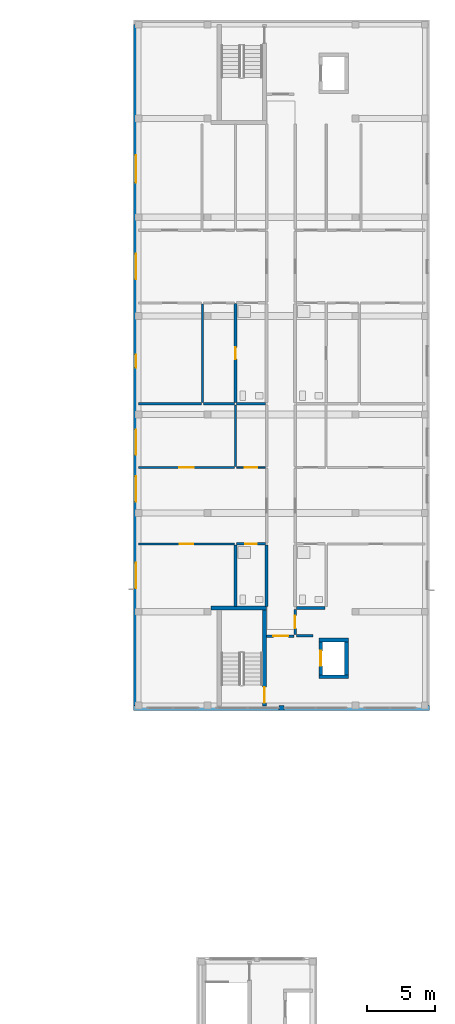
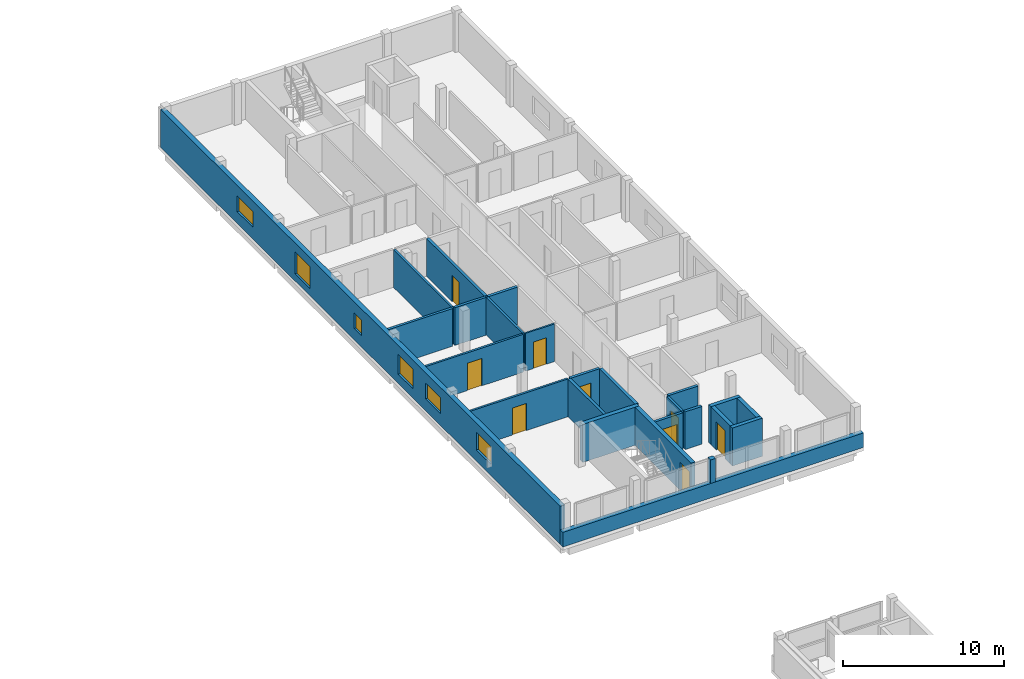
# One storey, part 16 of 28: 25 walls, 9 doors, 6 windows, 15 openings.
"""IFC4 building model written with IfcOpenShell, lengths in metres."""

from ifc_helpers import new_model, si_unit, derived_unit, direction, frame, frame_2d, origin, place, context, subcontext, project, spatial, rectangle, extrude, material, layer, layer_set, type_object, element, fill, save


model = new_model("IFC4")

# Units and contexts
model_context = context("Model", 3, precision=1e-05, world=origin(), true_north=direction((0.0, 1.0)))
body_context = subcontext(model_context, "Body", "Model", "MODEL_VIEW")
ifc_project = project(units=[si_unit("LENGTHUNIT", "METRE"), si_unit("AREAUNIT", "SQUARE_METRE"), si_unit("VOLUMEUNIT", "CUBIC_METRE"), si_unit("PLANEANGLEUNIT", "RADIAN"), si_unit("MASSUNIT", "GRAM", prefix="KILO"), derived_unit("THERMALTRANSMITTANCEUNIT", [(si_unit("MASSUNIT", "GRAM", prefix="KILO"), 1), (si_unit("TIMEUNIT", "SECOND"), -3), (si_unit("THERMODYNAMICTEMPERATUREUNIT", "KELVIN"), -1)])], contexts=[model_context])

# Site, building, storey
site_placement = place(None, origin())
site = spatial("IfcSite", under=ifc_project, at=site_placement, CompositionType="ELEMENT")
building_placement = place(site_placement, origin())
building = spatial("IfcBuilding", under=site, at=building_placement, Name="Ochrekiln Boulevard Commons", CompositionType="ELEMENT")
storey_placement = place(building_placement, frame((0.0, 0.0, 34.125)))
storey = spatial("IfcBuildingStorey", under=building, at=storey_placement, Name="L10", CompositionType="ELEMENT", Elevation=34.125)

# Wall, openings, windows
ifc_material_1 = material(Name="Iron-spot brown clinker brick masonry ASTM C216 Grade SW", Category="masonry")
ifc_layer_1 = layer(ifc_material_1, 0.340087890625)
ifc_layer_set_1 = layer_set([ifc_layer_1], Name="Iron-spot brown clinker brick masonry ASTM C216 Grade SW")
wall_type_1 = type_object("IfcWallType", Name="WL-EXT-IRON-340", PredefinedType="SOLIDWALL", material=ifc_layer_set_1)
wall_1_placement = place(storey_placement, frame((151.3701171875, 68.739990234375, 0.0), z_axis=(0.0, 0.0, 1.0), x_axis=(0.0, 1.0, 0.0)))
wall_1 = element("IfcWall", 1, at=wall_1_placement, inside=storey, type_object=wall_type_1, Name="Block B L10 W Exterior Wall", PredefinedType="SOLIDWALL", context=body_context, shape_type="SweptSolid", body=[
    extrude(rectangle(XDim=49.719970703125, YDim=0.340087890625, at=frame_2d((24.85986328125, 0.0))), origin(), (0.0, 0.0, 1.0), 2.889892578125),
])
opening_1_placement = place(wall_1_placement, frame((14.89990234375, 0.0, 0.89990234375)))
opening_1 = element("IfcOpeningElement", 2, at=opening_1_placement, cuts=wall_1, Name="Opening W-41", PredefinedType="OPENING", context=body_context, shape_type="SweptSolid", body=[
    extrude(rectangle(XDim=1.85009765625, YDim=1.199951171875, at=frame_2d((0.925048828125, 0.60009765625))), frame((0.0, 0.179931640625, 0.0), z_axis=(0.0, -1.0, 0.0), x_axis=(1.0, 0.0, 0.0)), (0.0, 0.0, 1.0), 0.360107421875),
])
opening_2_placement = place(wall_1_placement, frame((8.572998046875, 0.0, 0.85498046875)))
opening_2 = element("IfcOpeningElement", 3, at=opening_2_placement, cuts=wall_1, Name="Opening W-42", PredefinedType="OPENING", context=body_context, shape_type="SweptSolid", body=[
    extrude(rectangle(XDim=1.85009765625, YDim=1.35009765625, at=frame_2d((0.925048828125, 0.675048828125))), frame((0.0, 0.179931640625, 0.0), z_axis=(0.0, -1.0, 0.0), x_axis=(1.0, 0.0, 0.0)), (0.0, 0.0, 1.0), 0.360107421875),
])
opening_3_placement = place(wall_1_placement, frame((18.31005859375, 0.0, 0.705078125)))
opening_3 = element("IfcOpeningElement", 4, at=opening_3_placement, cuts=wall_1, Name="Opening W-43", PredefinedType="OPENING", context=body_context, shape_type="SweptSolid", body=[
    extrude(rectangle(XDim=1.85009765625, YDim=1.5, at=frame_2d((0.925048828125, 0.75))), frame((0.0, 0.179931640625, 0.0), z_axis=(0.0, -1.0, 0.0), x_axis=(1.0, 0.0, 0.0)), (0.0, 0.0, 1.0), 0.360107421875),
])
opening_4_placement = place(wall_1_placement, frame((31.135009765625, 0.0, 0.554931640625)))
opening_4 = element("IfcOpeningElement", 5, at=opening_4_placement, cuts=wall_1, Name="Opening W-44", PredefinedType="OPENING", context=body_context, shape_type="SweptSolid", body=[
    extrude(rectangle(XDim=1.85009765625, YDim=1.64990234375, at=frame_2d((0.925048828125, 0.824951171875))), frame((0.0, 0.179931640625, 0.0), z_axis=(0.0, -1.0, 0.0), x_axis=(1.0, 0.0, 0.0)), (0.0, 0.0, 1.0), 0.360107421875),
])
opening_5_placement = place(wall_1_placement, frame((24.68701171875, 0.0, 0.85009765625)))
opening_5 = element("IfcOpeningElement", 6, at=opening_5_placement, cuts=wall_1, Name="Opening W-01", PredefinedType="OPENING", context=body_context, shape_type="SweptSolid", body=[
    extrude(rectangle(XDim=0.949951171875, YDim=1.199951171875, at=frame_2d((0.47509765625, 0.60009765625))), frame((0.0, 0.179931640625, 0.0), z_axis=(0.0, -1.0, 0.0), x_axis=(1.0, 0.0, 0.0)), (0.0, 0.0, 1.0), 0.360107421875),
])
opening_6_placement = place(wall_1_placement, frame((38.195068359375, 0.0, 0.89990234375)))
opening_6 = element("IfcOpeningElement", 7, at=opening_6_placement, cuts=wall_1, Name="Opening W-46", PredefinedType="OPENING", context=body_context, shape_type="SweptSolid", body=[
    extrude(rectangle(XDim=2.0, YDim=1.199951171875, at=frame_2d((1.0, 0.60009765625))), frame((0.0, 0.179931640625, 0.0), z_axis=(0.0, -1.0, 0.0), x_axis=(1.0, 0.0, 0.0)), (0.0, 0.0, 1.0), 0.360107421875),
])
ifc_material_2 = material(Name="Thermally broken aluminium-clad oak frame", Category="aluminium")
window_type_1 = type_object("IfcWindowType", Name="WIN-EXT-01", PartitioningType="SINGLE_PANEL", PredefinedType="WINDOW", material=ifc_material_2)
window_1_placement = place(opening_5_placement, origin())
window_1 = element("IfcWindow", 8, at=window_1_placement, inside=storey, type_object=window_type_1, Name="Block B L10 Punched Masonry Window W-01", OverallHeight=1.199951171875, OverallWidth=0.949951171875, PartitioningType="SINGLE_PANEL", PredefinedType="WINDOW", context=body_context, shape_type="SweptSolid", body=[
    extrude(rectangle(XDim=0.949951171875, YDim=1.199951171875, at=frame_2d((0.47509765625, 0.60009765625))), frame((0.0, 0.030029296875, 0.0), z_axis=(0.0, -1.0, 0.0), x_axis=(1.0, 0.0, 0.0)), (0.0, 0.0, 1.0), 0.06005859375),
])
fill(opening_5, window_1)
window_type_2 = type_object("IfcWindowType", Name="WIN-EXT-41", PartitioningType="DOUBLE_PANEL_VERTICAL", PredefinedType="WINDOW", material=ifc_material_2)
window_2_placement = place(opening_1_placement, origin())
window_2 = element("IfcWindow", 9, at=window_2_placement, inside=storey, type_object=window_type_2, Name="Block B L10 Punched Masonry Window W-41", OverallHeight=1.199951171875, OverallWidth=1.85009765625, PartitioningType="DOUBLE_PANEL_VERTICAL", PredefinedType="WINDOW", context=body_context, shape_type="SweptSolid", body=[
    extrude(rectangle(XDim=1.85009765625, YDim=1.199951171875, at=frame_2d((0.925048828125, 0.60009765625))), frame((0.0, 0.030029296875, 0.0), z_axis=(0.0, -1.0, 0.0), x_axis=(1.0, 0.0, 0.0)), (0.0, 0.0, 1.0), 0.06005859375),
])
fill(opening_1, window_2)
window_type_3 = type_object("IfcWindowType", Name="WIN-EXT-42", PartitioningType="DOUBLE_PANEL_VERTICAL", PredefinedType="WINDOW", material=ifc_material_2)
window_3_placement = place(opening_2_placement, origin())
window_3 = element("IfcWindow", 10, at=window_3_placement, inside=storey, type_object=window_type_3, Name="Block B L10 Punched Masonry Window W-42", OverallHeight=1.35009765625, OverallWidth=1.85009765625, PartitioningType="DOUBLE_PANEL_VERTICAL", PredefinedType="WINDOW", context=body_context, shape_type="SweptSolid", body=[
    extrude(rectangle(XDim=1.85009765625, YDim=1.35009765625, at=frame_2d((0.925048828125, 0.675048828125))), frame((0.0, 0.030029296875, 0.0), z_axis=(0.0, -1.0, 0.0), x_axis=(1.0, 0.0, 0.0)), (0.0, 0.0, 1.0), 0.06005859375),
])
fill(opening_2, window_3)
window_type_4 = type_object("IfcWindowType", Name="WIN-EXT-43", PartitioningType="DOUBLE_PANEL_VERTICAL", PredefinedType="WINDOW", material=ifc_material_2)
window_4_placement = place(opening_3_placement, origin())
window_4 = element("IfcWindow", 11, at=window_4_placement, inside=storey, type_object=window_type_4, Name="Block B L10 Punched Masonry Window W-43", OverallHeight=1.5, OverallWidth=1.85009765625, PartitioningType="DOUBLE_PANEL_VERTICAL", PredefinedType="WINDOW", context=body_context, shape_type="SweptSolid", body=[
    extrude(rectangle(XDim=1.85009765625, YDim=1.5, at=frame_2d((0.925048828125, 0.75))), frame((0.0, 0.030029296875, 0.0), z_axis=(0.0, -1.0, 0.0), x_axis=(1.0, 0.0, 0.0)), (0.0, 0.0, 1.0), 0.06005859375),
])
fill(opening_3, window_4)
window_type_5 = type_object("IfcWindowType", Name="WIN-EXT-44", PartitioningType="DOUBLE_PANEL_VERTICAL", PredefinedType="WINDOW", material=ifc_material_2)
window_5_placement = place(opening_4_placement, origin())
window_5 = element("IfcWindow", 12, at=window_5_placement, inside=storey, type_object=window_type_5, Name="Block B L10 Punched Masonry Window W-44", OverallHeight=1.64990234375, OverallWidth=1.85009765625, PartitioningType="DOUBLE_PANEL_VERTICAL", PredefinedType="WINDOW", context=body_context, shape_type="SweptSolid", body=[
    extrude(rectangle(XDim=1.85009765625, YDim=1.64990234375, at=frame_2d((0.925048828125, 0.824951171875))), frame((0.0, 0.030029296875, 0.0), z_axis=(0.0, -1.0, 0.0), x_axis=(1.0, 0.0, 0.0)), (0.0, 0.0, 1.0), 0.06005859375),
])
fill(opening_4, window_5)
window_type_6 = type_object("IfcWindowType", Name="WIN-EXT-46", PartitioningType="DOUBLE_PANEL_VERTICAL", PredefinedType="WINDOW", material=ifc_material_2)
window_6_placement = place(opening_6_placement, origin())
window_6 = element("IfcWindow", 13, at=window_6_placement, inside=storey, type_object=window_type_6, Name="Block B L10 Punched Masonry Window W-46", OverallHeight=1.199951171875, OverallWidth=2.0, PartitioningType="DOUBLE_PANEL_VERTICAL", PredefinedType="WINDOW", context=body_context, shape_type="SweptSolid", body=[
    extrude(rectangle(XDim=2.0, YDim=1.199951171875, at=frame_2d((1.0, 0.60009765625))), frame((0.0, 0.030029296875, 0.0), z_axis=(0.0, -1.0, 0.0), x_axis=(1.0, 0.0, 0.0)), (0.0, 0.0, 1.0), 0.06005859375),
])
fill(opening_6, window_6)

# Walls
wall_2_placement = place(storey_placement, frame((151.199951171875, 68.570068359375, 0.0), z_axis=(0.0, 0.0, 1.0), x_axis=(1.0, 0.0, 0.0)))
element("IfcWall", 14, at=wall_2_placement, inside=storey, type_object=wall_type_1, Name="Block B L10 Courtyard Gable Sill Wall", PredefinedType="SOLIDWALL", context=body_context, shape_type="SweptSolid", body=[
    extrude(rectangle(XDim=21.60009765625, YDim=0.340087890625, at=frame_2d((10.800048828125, 0.0))), origin(), (0.0, 0.0, 1.0), 1.110107421875),
])
wall_3_placement = place(storey_placement, frame((161.820068359375, 68.570068359375, 1.110107421875), z_axis=(0.0, 0.0, 1.0), x_axis=(1.0, 0.0, 0.0)))
element("IfcWall", 15, at=wall_3_placement, inside=storey, type_object=wall_type_1, Name="Block B L10 Courtyard Gable Mullion Pier", PredefinedType="SOLIDWALL", context=body_context, shape_type="SweptSolid", body=[
    extrude(rectangle(XDim=0.35986328125, YDim=0.340087890625, at=frame_2d((0.179931640625, 0.0))), origin(), (0.0, 0.0, 1.0), 1.77978515625),
])
ifc_material_3 = material(Name="Moisture-resistant cementitious tile backer wall")
ifc_layer_2 = layer(ifc_material_3, 0.199951171875)
ifc_layer_set_2 = layer_set([ifc_layer_2], Name="Moisture-resistant cementitious tile backer wall")
wall_type_2 = type_object("IfcWallType", Name="WL-PLM-200", PredefinedType="PLUMBINGWALL", material=ifc_layer_set_2)
wall_4_placement = place(storey_placement, frame((163.072998046875, 75.875, 0.0), z_axis=(0.0, 0.0, 1.0), x_axis=(1.0, 0.0, 0.0)))
element("IfcWall", 16, at=wall_4_placement, inside=storey, type_object=wall_type_2, Name="L10 Interior Wall W-PW200", PredefinedType="PLUMBINGWALL", context=body_context, shape_type="SweptSolid", body=[
    extrude(rectangle(XDim=2.10693359375, YDim=0.199951171875, at=frame_2d((1.053466796875, 0.0))), origin(), (0.0, 0.0, 1.0), 2.8701171875),
])

# Wall, opening, door
wall_5_placement = place(storey_placement, frame((158.719970703125, 80.554931640625, 0.0), z_axis=(0.0, 0.0, 1.0), x_axis=(1.0, 0.0, 0.0)))
wall_5 = element("IfcWall", 17, at=wall_5_placement, inside=storey, type_object=wall_type_2, Name="L10 Interior Wall W-PW200", PredefinedType="PLUMBINGWALL", context=body_context, shape_type="SweptSolid", body=[
    extrude(rectangle(XDim=2.10693359375, YDim=0.199951171875, at=frame_2d((1.053466796875, 0.0))), origin(), (0.0, 0.0, 1.0), 2.8701171875),
])
opening_7_placement = place(wall_5_placement, frame((0.6201171875, 0.0, 0.0)))
opening_7 = element("IfcOpeningElement", 18, at=opening_7_placement, cuts=wall_5, Name="Opening D-L10-1202", PredefinedType="OPENING", context=body_context, shape_type="SweptSolid", body=[
    extrude(rectangle(XDim=0.860107421875, YDim=2.0, at=frame_2d((0.43017578125, 1.0))), frame((0.0, 0.10986328125, 0.0), z_axis=(0.0, -1.0, 0.0), x_axis=(1.0, 0.0, 0.0)), (0.0, 0.0, 1.0), 0.219970703125),
])
ifc_material_4 = material(Name="Solid core architectural oak door leaf")
door_type_1 = type_object("IfcDoorType", Name="DR-INT-BTH-086", OperationType="NOTDEFINED", PredefinedType="DOOR", material=ifc_material_4)
door_1_placement = place(opening_7_placement, frame((0.860107421875, 0.0, 0.0), z_axis=(0.0, 0.0, 1.0), x_axis=(-1.0, 0.0, 0.0)))
door_1 = element("IfcDoor", 19, at=door_1_placement, inside=storey, type_object=door_type_1, Name="L10 Interior Door to Accessible Apartment Bathroom", OperationType="SINGLE_SWING_RIGHT", OverallHeight=2.0, OverallWidth=0.860107421875, PredefinedType="DOOR", context=body_context, shape_type="SweptSolid", body=[
    extrude(rectangle(XDim=0.860107421875, YDim=2.0, at=frame_2d((0.43017578125, 1.0))), frame((0.0, 0.02490234375, 0.0), z_axis=(0.0, -1.0, 0.0), x_axis=(1.0, 0.0, 0.0)), (0.0, 0.0, 1.0), 0.050048828125),
])
fill(opening_7, door_1)

# Walls
wall_6_placement = place(storey_placement, frame((158.639892578125, 76.0, 0.0), z_axis=(0.0, 0.0, 1.0), x_axis=(0.0, 1.0, 0.0)))
element("IfcWall", 20, at=wall_6_placement, inside=storey, type_object=wall_type_2, Name="L10 Interior Wall W-PW200", PredefinedType="PLUMBINGWALL", context=body_context, shape_type="SweptSolid", body=[
    extrude(rectangle(XDim=4.47998046875, YDim=0.199951171875, at=frame_2d((2.239990234375, 0.0))), origin(), (0.0, 0.0, 1.0), 2.8701171875),
])
wall_7_placement = place(storey_placement, frame((158.715087890625, 90.783935546875, 0.0), z_axis=(0.0, 0.0, 1.0), x_axis=(1.0, 0.0, 0.0)))
element("IfcWall", 21, at=wall_7_placement, inside=storey, type_object=wall_type_2, Name="L10 Interior Wall W-PW200", PredefinedType="PLUMBINGWALL", context=body_context, shape_type="SweptSolid", body=[
    extrude(rectangle(XDim=2.11181640625, YDim=0.199951171875, at=frame_2d((1.055908203125, 0.0))), origin(), (0.0, 0.0, 1.0), 2.8701171875),
])

# Wall, opening, door
wall_8_placement = place(storey_placement, frame((158.639892578125, 90.8740234375, 0.0), z_axis=(0.0, 0.0, 1.0), x_axis=(0.0, 1.0, 0.0)))
wall_8 = element("IfcWall", 22, at=wall_8_placement, inside=storey, type_object=wall_type_2, Name="L10 Interior Wall W-PW200", PredefinedType="PLUMBINGWALL", context=body_context, shape_type="SweptSolid", body=[
    extrude(rectangle(XDim=7.216064453125, YDim=0.199951171875, at=frame_2d((3.60791015625, 0.0))), origin(), (0.0, 0.0, 1.0), 2.8701171875),
])
opening_8_placement = place(wall_8_placement, frame((3.173095703125, 0.0, 0.0)))
opening_8 = element("IfcOpeningElement", 23, at=opening_8_placement, cuts=wall_8, Name="Opening D-L10-1212", PredefinedType="OPENING", context=body_context, shape_type="SweptSolid", body=[
    extrude(rectangle(XDim=0.85009765625, YDim=2.010009765625, at=frame_2d((0.425048828125, 1.0048828125))), frame((0.0, 0.10986328125, 0.0), z_axis=(0.0, -1.0, 0.0), x_axis=(1.0, 0.0, 0.0)), (0.0, 0.0, 1.0), 0.219970703125),
])
door_type_2 = type_object("IfcDoorType", Name="DR-INT-KIT-085", OperationType="NOTDEFINED", PredefinedType="DOOR", material=ifc_material_4)
door_2_placement = place(opening_8_placement, frame((0.85009765625, 0.0, 0.0), z_axis=(0.0, 0.0, 1.0), x_axis=(-1.0, 0.0, 0.0)))
door_2 = element("IfcDoor", 24, at=door_2_placement, inside=storey, type_object=door_type_2, Name="L10 Interior Door to Apartment Bathroom", OperationType="SINGLE_SWING_RIGHT", OverallHeight=2.010009765625, OverallWidth=0.85009765625, PredefinedType="DOOR", context=body_context, shape_type="SweptSolid", body=[
    extrude(rectangle(XDim=0.85009765625, YDim=2.010009765625, at=frame_2d((0.425048828125, 1.0048828125))), frame((0.0, 0.02490234375, 0.0), z_axis=(0.0, -1.0, 0.0), x_axis=(1.0, 0.0, 0.0)), (0.0, 0.0, 1.0), 0.050048828125),
])
fill(opening_8, door_2)

# Wall
ifc_layer_3 = layer(ifc_material_3, 0.219970703125)
ifc_layer_set_3 = layer_set([ifc_layer_3], Name="Moisture-resistant cementitious tile backer wall")
wall_type_3 = type_object("IfcWallType", Name="WL-PLM-220", PredefinedType="PLUMBINGWALL", material=ifc_layer_set_3)
wall_9_placement = place(storey_placement, frame((160.909912109375, 76.0, 0.0), z_axis=(0.0, 0.0, 1.0), x_axis=(0.0, 1.0, 0.0)))
element("IfcWall", 25, at=wall_9_placement, inside=storey, type_object=wall_type_3, Name="L10 Interior Wall W-PW220", PredefinedType="PLUMBINGWALL", context=body_context, shape_type="SweptSolid", body=[
    extrude(rectangle(XDim=4.47509765625, YDim=0.219970703125, at=frame_2d((2.237548828125, 0.0))), origin(), (0.0, 0.0, 1.0), 2.8701171875),
])

# Wall, opening, door
ifc_material_5 = material(Name="Fire-rated Type X gypsum board on steel studs", Category="steel")
ifc_layer_4 = layer(ifc_material_5, 0.1650390625)
ifc_layer_set_4 = layer_set([ifc_layer_4], Name="Fire-rated Type X gypsum board on steel studs")
wall_type_4 = type_object("IfcWallType", Name="WL-PT-CORR-165", PredefinedType="PARTITIONING", material=ifc_layer_set_4)
wall_10_placement = place(storey_placement, frame((162.989990234375, 73.929931640625, 0.0), z_axis=(0.0, 0.0, 1.0), x_axis=(0.0, 1.0, 0.0)))
wall_10 = element("IfcWall", 26, at=wall_10_placement, inside=storey, type_object=wall_type_4, Name="L10 Interior Wall W-PC165", PredefinedType="PARTITIONING", context=body_context, shape_type="SweptSolid", body=[
    extrude(rectangle(XDim=1.820068359375, YDim=0.1650390625, at=frame_2d((0.91015625, 0.0))), origin(), (0.0, 0.0, 1.0), 2.8701171875),
])
opening_9_placement = place(wall_10_placement, frame((0.4599609375, 0.0, 0.0)))
opening_9 = element("IfcOpeningElement", 27, at=opening_9_placement, cuts=wall_10, Name="Opening D-L10-1197", PredefinedType="OPENING", context=body_context, shape_type="SweptSolid", body=[
    extrude(rectangle(XDim=0.919921875, YDim=2.0400390625, at=frame_2d((0.4599609375, 1.02001953125))), frame((0.0, 0.092529296875, 0.0), z_axis=(0.0, -1.0, 0.0), x_axis=(1.0, 0.0, 0.0)), (0.0, 0.0, 1.0), 0.18505859375),
])
ifc_material_6 = material(Name="Hollow metal fire-rated steel door assembly", Category="steel")
door_type_3 = type_object("IfcDoorType", Name="DR-SRV-90", OperationType="NOTDEFINED", PredefinedType="DOOR", material=ifc_material_6)
door_3_placement = place(opening_9_placement, frame((0.919921875, 0.0, 0.0), z_axis=(0.0, 0.0, 1.0), x_axis=(-1.0, 0.0, 0.0)))
door_3 = element("IfcDoor", 28, at=door_3_placement, inside=storey, type_object=door_type_3, Name="L10 Interior Door to Hydronic and Electrical Riser Room", OperationType="SINGLE_SWING_LEFT", OverallHeight=2.0400390625, OverallWidth=0.919921875, PredefinedType="DOOR", context=body_context, shape_type="SweptSolid", body=[
    extrude(rectangle(XDim=0.919921875, YDim=2.0400390625, at=frame_2d((0.4599609375, 1.02001953125))), frame((0.0, 0.02490234375, 0.0), z_axis=(0.0, -1.0, 0.0), x_axis=(1.0, 0.0, 0.0)), (0.0, 0.0, 1.0), 0.050048828125),
])
fill(opening_9, door_3)

# Walls
ifc_layer_5 = layer(ifc_material_5, 0.179931640625)
ifc_layer_set_5 = layer_set([ifc_layer_5], Name="Fire-rated Type X gypsum board on steel studs")
wall_type_5 = type_object("IfcWallType", Name="WL-PT-DEM-180", PredefinedType="PARTITIONING", material=ifc_layer_set_5)
wall_11_placement = place(storey_placement, frame((151.5400390625, 90.783935546875, 0.0), z_axis=(0.0, 0.0, 1.0), x_axis=(1.0, 0.0, 0.0)))
element("IfcWall", 29, at=wall_11_placement, inside=storey, type_object=wall_type_5, Name="L10 Interior Wall W-PD180", PredefinedType="PARTITIONING", context=body_context, shape_type="SweptSolid", body=[
    extrude(rectangle(XDim=4.60986328125, YDim=0.179931640625, at=frame_2d((2.304931640625, 0.0))), origin(), (0.0, 0.0, 1.0), 2.8701171875),
])
wall_12_placement = place(storey_placement, frame((156.31005859375, 90.783935546875, 0.0), z_axis=(0.0, 0.0, 1.0), x_axis=(1.0, 0.0, 0.0)))
element("IfcWall", 30, at=wall_12_placement, inside=storey, type_object=wall_type_5, Name="L10 Interior Wall W-PD180", PredefinedType="PARTITIONING", context=body_context, shape_type="SweptSolid", body=[
    extrude(rectangle(XDim=2.25, YDim=0.179931640625, at=frame_2d((1.125, 0.0))), origin(), (0.0, 0.0, 1.0), 2.8701171875),
])
ifc_layer_6 = layer(ifc_material_5, 0.18994140625)
ifc_layer_set_6 = layer_set([ifc_layer_6], Name="Fire-rated Type X gypsum board on steel studs")
wall_type_6 = type_object("IfcWallType", Name="WL-PT-LBY-190", PredefinedType="PARTITIONING", material=ifc_layer_set_6)
wall_13_placement = place(storey_placement, frame((163.080078125, 73.8349609375, 0.0), z_axis=(0.0, 0.0, 1.0), x_axis=(1.0, 0.0, 0.0)))
element("IfcWall", 31, at=wall_13_placement, inside=storey, type_object=wall_type_6, Name="L10 Interior Wall W-PL190", PredefinedType="PARTITIONING", context=body_context, shape_type="SweptSolid", body=[
    extrude(rectangle(XDim=1.219970703125, YDim=0.18994140625, at=frame_2d((0.60986328125, 0.0))), origin(), (0.0, 0.0, 1.0), 2.8701171875),
])

# Wall, opening, door
wall_14_placement = place(storey_placement, frame((160.89990234375, 73.820068359375, 0.0), z_axis=(0.0, 0.0, 1.0), x_axis=(1.0, 0.0, 0.0)))
wall_14 = element("IfcWall", 32, at=wall_14_placement, inside=storey, type_object=wall_type_6, Name="L10 Interior Wall W-PL190", PredefinedType="PARTITIONING", context=body_context, shape_type="SweptSolid", body=[
    extrude(rectangle(XDim=2.0, YDim=0.18994140625, at=frame_2d((1.0, 0.0))), origin(), (0.0, 0.0, 1.0), 2.8701171875),
])
opening_10_placement = place(wall_14_placement, frame((0.5, 0.0, 0.0)))
opening_10 = element("IfcOpeningElement", 33, at=opening_10_placement, cuts=wall_14, Name="Opening D-L10-1195", PredefinedType="OPENING", context=body_context, shape_type="SweptSolid", body=[
    extrude(rectangle(XDim=1.10009765625, YDim=2.1201171875, at=frame_2d((0.550048828125, 1.06005859375))), frame((0.0, 0.10498046875, 0.0), z_axis=(0.0, -1.0, 0.0), x_axis=(1.0, 0.0, 0.0)), (0.0, 0.0, 1.0), 0.2099609375),
])
door_type_4 = type_object("IfcDoorType", Name="DR-LOBBY-60", OperationType="NOTDEFINED", PredefinedType="DOOR", material=ifc_material_6)
door_4_placement = place(opening_10_placement, frame((1.10009765625, 0.0, 0.0), z_axis=(0.0, 0.0, 1.0), x_axis=(-1.0, 0.0, 0.0)))
door_4 = element("IfcDoor", 34, at=door_4_placement, inside=storey, type_object=door_type_4, Name="L10 Interior Door to Fire Service Access Elevator Lobby", OperationType="SINGLE_SWING_LEFT", OverallHeight=2.1201171875, OverallWidth=1.10009765625, PredefinedType="DOOR", context=body_context, shape_type="SweptSolid", body=[
    extrude(rectangle(XDim=1.10009765625, YDim=2.1201171875, at=frame_2d((0.550048828125, 1.06005859375))), frame((0.0, 0.02490234375, 0.0), z_axis=(0.0, -1.0, 0.0), x_axis=(1.0, 0.0, 0.0)), (0.0, 0.0, 1.0), 0.050048828125),
])
fill(opening_10, door_4)

ifc_layer_7 = layer(ifc_material_5, 0.1201171875)
ifc_layer_set_7 = layer_set([ifc_layer_7], Name="Fire-rated Type X gypsum board on steel studs")
wall_type_7 = type_object("IfcWallType", Name="WL-PT-LGT-120", PredefinedType="PARTITIONING", material=ifc_layer_set_7)
wall_15_placement = place(storey_placement, frame((158.719970703125, 86.138916015625, 0.0), z_axis=(0.0, 0.0, 1.0), x_axis=(1.0, 0.0, 0.0)))
wall_15 = element("IfcWall", 35, at=wall_15_placement, inside=storey, type_object=wall_type_7, Name="L10 Interior Wall W-PL120", PredefinedType="PARTITIONING", context=body_context, shape_type="SweptSolid", body=[
    extrude(rectangle(XDim=2.10693359375, YDim=0.1201171875, at=frame_2d((1.053466796875, 0.0))), origin(), (0.0, 0.0, 1.0), 2.8701171875),
])
opening_11_placement = place(wall_15_placement, frame((0.590087890625, 0.0, 0.0)))
opening_11 = element("IfcOpeningElement", 36, at=opening_11_placement, cuts=wall_15, Name="Opening D-L10-1203", PredefinedType="OPENING", context=body_context, shape_type="SweptSolid", body=[
    extrude(rectangle(XDim=0.919921875, YDim=2.02001953125, at=frame_2d((0.4599609375, 1.010009765625))), frame((0.0, 0.070068359375, 0.0), z_axis=(0.0, -1.0, 0.0), x_axis=(1.0, 0.0, 0.0)), (0.0, 0.0, 1.0), 0.14013671875),
])
door_type_5 = type_object("IfcDoorType", Name="DR-INT-KIT-092", OperationType="NOTDEFINED", PredefinedType="DOOR", material=ifc_material_4)
door_5_placement = place(opening_11_placement, origin())
door_5 = element("IfcDoor", 37, at=door_5_placement, inside=storey, type_object=door_type_5, Name="L10 Interior Door to Apartment Kitchen", OperationType="SINGLE_SWING_LEFT", OverallHeight=2.02001953125, OverallWidth=0.919921875, PredefinedType="DOOR", context=body_context, shape_type="SweptSolid", body=[
    extrude(rectangle(XDim=0.919921875, YDim=2.02001953125, at=frame_2d((0.4599609375, 1.010009765625))), frame((0.0, 0.02490234375, 0.0), z_axis=(0.0, -1.0, 0.0), x_axis=(1.0, 0.0, 0.0)), (0.0, 0.0, 1.0), 0.050048828125),
])
fill(opening_11, door_5)

ifc_layer_8 = layer(ifc_material_5, 0.14990234375)
ifc_layer_set_8 = layer_set([ifc_layer_8], Name="Fire-rated Type X gypsum board on steel studs")
wall_type_8 = type_object("IfcWallType", Name="WL-PT-STD-150", PredefinedType="PARTITIONING", material=ifc_layer_set_8)
wall_16_placement = place(storey_placement, frame((151.5400390625, 80.554931640625, 0.0), z_axis=(0.0, 0.0, 1.0), x_axis=(1.0, 0.0, 0.0)))
wall_16 = element("IfcWall", 38, at=wall_16_placement, inside=storey, type_object=wall_type_8, Name="L10 Interior Wall W-PS150", PredefinedType="PARTITIONING", context=body_context, shape_type="SweptSolid", body=[
    extrude(rectangle(XDim=7.02001953125, YDim=0.14990234375, at=frame_2d((3.510009765625, 0.0))), origin(), (0.0, 0.0, 1.0), 2.8701171875),
])
opening_12_placement = place(wall_16_placement, frame((3.014892578125, 0.0, 0.0)))
opening_12 = element("IfcOpeningElement", 39, at=opening_12_placement, cuts=wall_16, Name="Opening D-L10-1204", PredefinedType="OPENING", context=body_context, shape_type="SweptSolid", body=[
    extrude(rectangle(XDim=1.0, YDim=2.06005859375, at=frame_2d((0.5, 1.030029296875))), frame((0.0, 0.0849609375, 0.0), z_axis=(0.0, -1.0, 0.0), x_axis=(1.0, 0.0, 0.0)), (0.0, 0.0, 1.0), 0.169921875),
])
door_type_6 = type_object("IfcDoorType", Name="DR-INT-BED-100", OperationType="NOTDEFINED", PredefinedType="DOOR", material=ifc_material_4)
door_6_placement = place(opening_12_placement, frame((1.0, 0.0, 0.0), z_axis=(0.0, 0.0, 1.0), x_axis=(-1.0, 0.0, 0.0)))
door_6 = element("IfcDoor", 40, at=door_6_placement, inside=storey, type_object=door_type_6, Name="L10 Interior Door to Primary Apartment Bedroom", OperationType="SINGLE_SWING_RIGHT", OverallHeight=2.06005859375, OverallWidth=1.0, PredefinedType="DOOR", context=body_context, shape_type="SweptSolid", body=[
    extrude(rectangle(XDim=1.0, YDim=2.06005859375, at=frame_2d((0.5, 1.030029296875))), frame((0.0, 0.02490234375, 0.0), z_axis=(0.0, -1.0, 0.0), x_axis=(1.0, 0.0, 0.0)), (0.0, 0.0, 1.0), 0.050048828125),
])
fill(opening_12, door_6)

wall_17_placement = place(storey_placement, frame((151.5400390625, 86.138916015625, 0.0), z_axis=(0.0, 0.0, 1.0), x_axis=(1.0, 0.0, 0.0)))
wall_17 = element("IfcWall", 41, at=wall_17_placement, inside=storey, type_object=wall_type_8, Name="L10 Interior Wall W-PS150", PredefinedType="PARTITIONING", context=body_context, shape_type="SweptSolid", body=[
    extrude(rectangle(XDim=7.02001953125, YDim=0.14990234375, at=frame_2d((3.510009765625, 0.0))), origin(), (0.0, 0.0, 1.0), 2.8701171875),
])
opening_13_placement = place(wall_17_placement, frame((2.9951171875, 0.0, 0.0)))
opening_13 = element("IfcOpeningElement", 42, at=opening_13_placement, cuts=wall_17, Name="Opening D-L10-1205", PredefinedType="OPENING", context=body_context, shape_type="SweptSolid", body=[
    extrude(rectangle(XDim=1.0400390625, YDim=2.080078125, at=frame_2d((0.52001953125, 1.0400390625))), frame((0.0, 0.0849609375, 0.0), z_axis=(0.0, -1.0, 0.0), x_axis=(1.0, 0.0, 0.0)), (0.0, 0.0, 1.0), 0.169921875),
])
door_type_7 = type_object("IfcDoorType", Name="DR-INT-BED-104", OperationType="NOTDEFINED", PredefinedType="DOOR", material=ifc_material_4)
door_7_placement = place(opening_13_placement, origin())
door_7 = element("IfcDoor", 43, at=door_7_placement, inside=storey, type_object=door_type_7, Name="L10 Interior Door to Secondary Apartment Bedroom", OperationType="SINGLE_SWING_LEFT", OverallHeight=2.080078125, OverallWidth=1.0400390625, PredefinedType="DOOR", context=body_context, shape_type="SweptSolid", body=[
    extrude(rectangle(XDim=1.0400390625, YDim=2.080078125, at=frame_2d((0.52001953125, 1.0400390625))), frame((0.0, 0.02490234375, 0.0), z_axis=(0.0, -1.0, 0.0), x_axis=(1.0, 0.0, 0.0)), (0.0, 0.0, 1.0), 0.050048828125),
])
fill(opening_13, door_7)

# Walls
wall_18_placement = place(storey_placement, frame((158.639892578125, 86.198974609375, 0.0), z_axis=(0.0, 0.0, 1.0), x_axis=(0.0, 1.0, 0.0)))
element("IfcWall", 44, at=wall_18_placement, inside=storey, type_object=wall_type_8, Name="L10 Interior Wall W-PS150", PredefinedType="PARTITIONING", context=body_context, shape_type="SweptSolid", body=[
    extrude(rectangle(XDim=4.4951171875, YDim=0.14990234375, at=frame_2d((2.24755859375, 0.0))), origin(), (0.0, 0.0, 1.0), 2.8701171875),
])
wall_19_placement = place(storey_placement, frame((156.22998046875, 90.8740234375, 0.0), z_axis=(0.0, 0.0, 1.0), x_axis=(0.0, 1.0, 0.0)))
element("IfcWall", 45, at=wall_19_placement, inside=storey, type_object=wall_type_8, Name="L10 Interior Wall W-PS150", PredefinedType="PARTITIONING", context=body_context, shape_type="SweptSolid", body=[
    extrude(rectangle(XDim=7.200927734375, YDim=0.14990234375, at=frame_2d((3.6005859375, 0.0))), origin(), (0.0, 0.0, 1.0), 2.8701171875),
])
ifc_material_7 = material(Name="Concrete C40/50", Category="concrete")
ifc_layer_9 = layer(ifc_material_7, 0.27490234375)
ifc_layer_set_9 = layer_set([ifc_layer_9], Name="Concrete C40/50")
wall_type_9 = type_object("IfcWallType", Name="WL-SH-275", PredefinedType="SHEAR", material=ifc_layer_set_9)
for number, where, z_axis, x_axis, name in (
    (46, (164.72509765625, 70.862548828125, 0.0), (0.0, 0.0, 1.0), (1.0, 0.0, 0.0), "Elevator FF-B1 L10 Hoistway Shear Wall"),
    (47, (164.72509765625, 73.53759765625, 0.0), (0.0, 0.0, 1.0), (1.0, 0.0, 0.0), "Elevator FF-B1 L10 Hoistway Shear Wall"),
):
    element("IfcWall", number, at=place(storey_placement, frame(where, z_axis=z_axis, x_axis=x_axis)), inside=storey, type_object=wall_type_9, Name=name, PredefinedType="SHEAR", context=body_context, shape_type="SweptSolid", body=[
        extrude(rectangle(XDim=2.14990234375, YDim=0.27490234375, at=frame_2d((1.074951171875, 0.0))), origin(), (0.0, 0.0, 1.0), 2.889892578125),
    ])

# Wall, opening, door
wall_20_placement = place(storey_placement, frame((164.862548828125, 71.0, 0.0), z_axis=(0.0, 0.0, 1.0), x_axis=(0.0, 1.0, 0.0)))
wall_20 = element("IfcWall", 48, at=wall_20_placement, inside=storey, type_object=wall_type_9, Name="Elevator FF-B1 L10 Hoistway Shear Wall", PredefinedType="SHEAR", context=body_context, shape_type="SweptSolid", body=[
    extrude(rectangle(XDim=2.39990234375, YDim=0.27490234375, at=frame_2d((1.199951171875, 0.0))), origin(), (0.0, 0.0, 1.0), 2.889892578125),
])
opening_14_placement = place(wall_20_placement, frame((0.64990234375, 0.0, 0.0)))
opening_14 = element("IfcOpeningElement", 49, at=opening_14_placement, cuts=wall_20, Name="Opening LD-FF-B1-L10", PredefinedType="OPENING", context=body_context, shape_type="SweptSolid", body=[
    extrude(rectangle(XDim=1.10009765625, YDim=2.14990234375, at=frame_2d((0.550048828125, 1.074951171875))), frame((0.0, 0.1474609375, 0.0), z_axis=(0.0, -1.0, 0.0), x_axis=(1.0, 0.0, 0.0)), (0.0, 0.0, 1.0), 0.294921875),
])
ifc_material_8 = material(Name="Brushed stainless steel 316 elevator cab and doors", Category="steel")
door_type_8 = type_object("IfcDoorType", Name="DR-LIFT-LD90", OperationType="SLIDING_TO_LEFT", PredefinedType="DOOR", material=ifc_material_8)
door_8_placement = place(opening_14_placement, origin())
door_8 = element("IfcDoor", 50, at=door_8_placement, inside=storey, type_object=door_type_8, Name="Elevator FF-B1 L10 Sliding Landing Door LD-FF-B1-L10", OperationType="SLIDING_TO_LEFT", OverallHeight=2.14990234375, OverallWidth=1.10009765625, PredefinedType="DOOR", context=body_context, shape_type="SweptSolid", body=[
    extrude(rectangle(XDim=1.10009765625, YDim=2.14990234375, at=frame_2d((0.550048828125, 1.074951171875))), frame((0.0, 0.02490234375, 0.0), z_axis=(0.0, -1.0, 0.0), x_axis=(1.0, 0.0, 0.0)), (0.0, 0.0, 1.0), 0.050048828125),
])
fill(opening_14, door_8)

# Walls
wall_21_placement = place(storey_placement, frame((166.737548828125, 71.0, 0.0), z_axis=(0.0, 0.0, 1.0), x_axis=(0.0, 1.0, 0.0)))
element("IfcWall", 51, at=wall_21_placement, inside=storey, type_object=wall_type_9, Name="Elevator FF-B1 L10 Hoistway Shear Wall", PredefinedType="SHEAR", context=body_context, shape_type="SweptSolid", body=[
    extrude(rectangle(XDim=2.39990234375, YDim=0.27490234375, at=frame_2d((1.199951171875, 0.0))), origin(), (0.0, 0.0, 1.0), 2.889892578125),
])
ifc_layer_10 = layer(ifc_material_7, 0.300048828125)
ifc_layer_set_10 = layer_set([ifc_layer_10], Name="Concrete C40/50")
wall_type_10 = type_object("IfcWallType", Name="WL-SH-300", PredefinedType="SHEAR", material=ifc_layer_set_10)
wall_22_placement = place(storey_placement, frame((156.85009765625, 75.8701171875, 0.0), z_axis=(0.0, 0.0, 1.0), x_axis=(1.0, 0.0, 0.0)))
element("IfcWall", 52, at=wall_22_placement, inside=storey, type_object=wall_type_10, Name="Stair ST-B1 L10 Core Shear Wall N", PredefinedType="SHEAR", context=body_context, shape_type="SweptSolid", body=[
    extrude(rectangle(XDim=4.0498046875, YDim=0.300048828125, at=frame_2d((2.02490234375, 0.0))), origin(), (0.0, 0.0, 1.0), 2.889892578125),
])

# Wall, opening, door
wall_23_placement = place(storey_placement, frame((160.75, 68.719970703125, 0.0), z_axis=(0.0, 0.0, 1.0), x_axis=(0.0, 1.0, 0.0)))
wall_23 = element("IfcWall", 53, at=wall_23_placement, inside=storey, type_object=wall_type_10, Name="Stair ST-B1 L10 Core Shear Wall E", PredefinedType="SHEAR", context=body_context, shape_type="SweptSolid", body=[
    extrude(rectangle(XDim=7.0, YDim=0.300048828125, at=frame_2d((3.5, 0.0))), origin(), (0.0, 0.0, 1.0), 2.889892578125),
])
opening_15_placement = place(wall_23_placement, frame((0.22509765625, 0.0, 0.0)))
opening_15 = element("IfcOpeningElement", 54, at=opening_15_placement, cuts=wall_23, Name="Opening D-L10-ST-B1", PredefinedType="OPENING", context=body_context, shape_type="SweptSolid", body=[
    extrude(rectangle(XDim=1.14990234375, YDim=2.1201171875, at=frame_2d((0.574951171875, 1.06005859375))), frame((0.0, 0.159912109375, 0.0), z_axis=(0.0, -1.0, 0.0), x_axis=(1.0, 0.0, 0.0)), (0.0, 0.0, 1.0), 0.320068359375),
])
door_type_9 = type_object("IfcDoorType", Name="DR-STAIR-90", OperationType="NOTDEFINED", PredefinedType="DOOR", material=ifc_material_6)
door_9_placement = place(opening_15_placement, origin())
door_9 = element("IfcDoor", 55, at=door_9_placement, inside=storey, type_object=door_type_9, Name="Enclosed Exit Stair ST-B1 L10 Rated Door", OperationType="SINGLE_SWING_RIGHT", OverallHeight=2.1201171875, OverallWidth=1.14990234375, PredefinedType="DOOR", context=body_context, shape_type="SweptSolid", body=[
    extrude(rectangle(XDim=1.14990234375, YDim=2.1201171875, at=frame_2d((0.574951171875, 1.06005859375))), frame((0.0, 0.02490234375, 0.0), z_axis=(0.0, -1.0, 0.0), x_axis=(1.0, 0.0, 0.0)), (0.0, 0.0, 1.0), 0.050048828125),
])
fill(opening_15, door_9)

save(model, "model.ifc")
